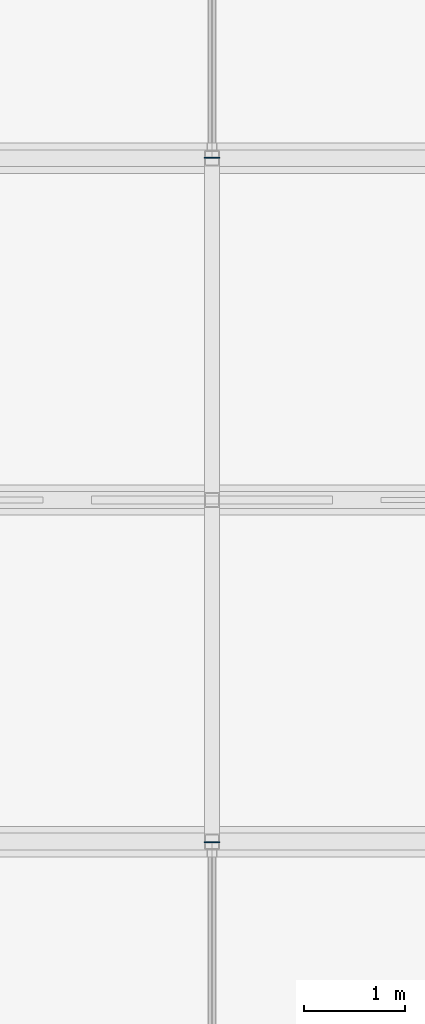
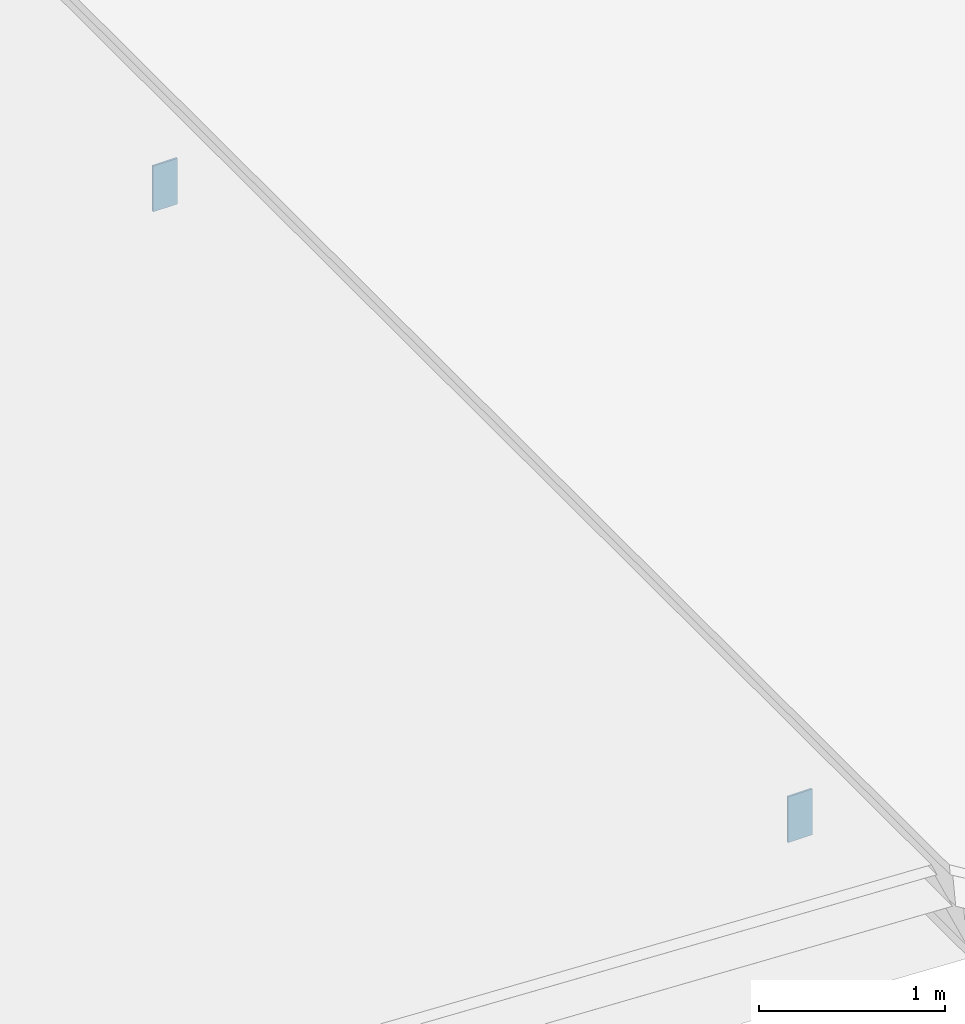
# One storey, part 40 of 61: 2 plates.
"""IFC4 building model written with IfcOpenShell, lengths in metres."""

from ifc_helpers import new_model, si_unit, direction, frame, origin, origin_2d, place, context, subcontext, project, spatial, rectangle, extrude, material, layer, layer_set, type_object, element, save


model = new_model("IFC4")

# Units and contexts
model_context = context("Model", 3, precision=1e-05, world=origin(), true_north=direction((0.0, 1.0)))
body_context = subcontext(model_context, "Body", "Model", "MODEL_VIEW")
ifc_project = project(units=[si_unit("LENGTHUNIT", "METRE"), si_unit("AREAUNIT", "SQUARE_METRE"), si_unit("VOLUMEUNIT", "CUBIC_METRE"), si_unit("PLANEANGLEUNIT", "RADIAN"), si_unit("MASSUNIT", "GRAM", prefix="KILO")], contexts=[model_context])

# Site, building, storey
site_placement = place(None, origin())
site = spatial("IfcSite", under=ifc_project, at=site_placement, CompositionType="ELEMENT")
building_placement = place(site_placement, origin())
building = spatial("IfcBuilding", under=site, at=building_placement, Name="Vellmiral Cinema and Media Centre", CompositionType="ELEMENT")
storey_placement = place(building_placement, frame((0.0, 0.0, 10.800048828125)))
storey = spatial("IfcBuildingStorey", under=building, at=storey_placement, Name="L02", CompositionType="ELEMENT", Elevation=10.800048828125)

# Plates
ifc_material = material(Name="Steel S355", Category="steel")
ifc_layer = layer(ifc_material, 0.011962890625, Name="Steel S355")
ifc_layer_set = layer_set([ifc_layer], Name="Steel S355")
plate_type = type_object("IfcPlateType", Name="PLT-CAP-300", PredefinedType="SHEET", material=ifc_layer_set)
for number, where, z_axis, x_axis, name in (
    (1, (16.0, 98.594482421875, 6.8583984375), (0.0, 0.0, 1.0), (1.0, 0.0, 0.0), "Roof Purlin 4.3.1 End Cap Plate"),
    (2, (16.0, 105.405517578125, 6.8583984375), (0.0, 0.0, 1.0), (1.0, 0.0, 0.0), "Roof Purlin 4.3.2 End Cap Plate"),
):
    element("IfcPlate", number, at=place(storey_placement, frame(where, z_axis=z_axis, x_axis=x_axis)), inside=storey, type_object=plate_type, Name=name, PredefinedType="SHEET", context=body_context, shape_type="SweptSolid", body=[
        extrude(rectangle(XDim=0.14990234375, YDim=0.011962890625, at=origin_2d()), origin(), (0.0, 0.0, 1.0), 0.300048828125),
    ])

save(model, "model.ifc")
